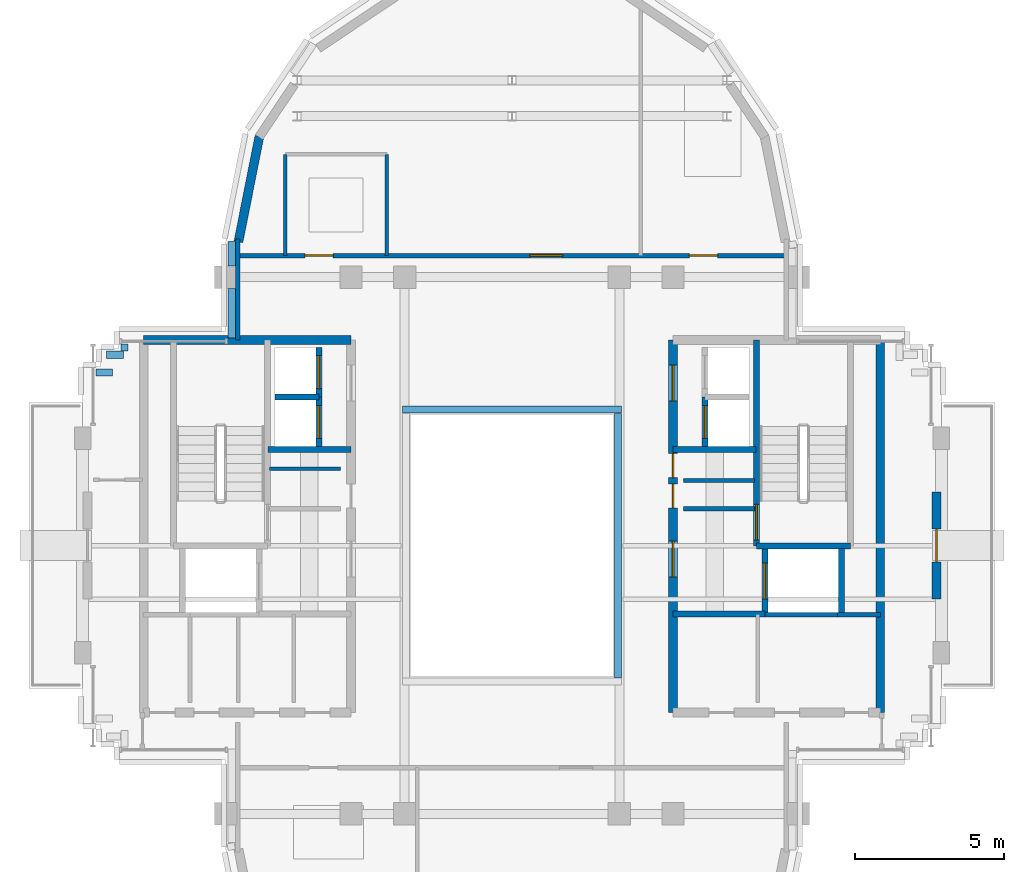
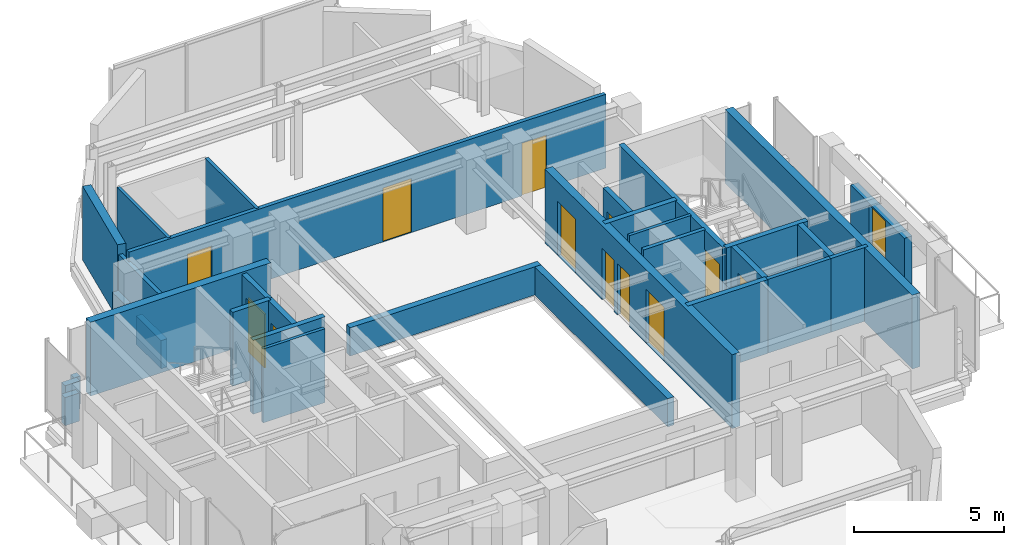
# One storey, part 8 of 12: 32 walls, 13 doors, 13 openings.
"""IFC4 building model written with IfcOpenShell, lengths in metres."""

import ifcopenshell
import ifcopenshell.guid

model = None  # the IFC model being written
_history = None  # IfcOwnerHistory: only IFC2X3 demands one
_inside = {}  # id of a spatial element -> (the spatial element, [elements in it])
_under = {}  # id of a project, library or spatial element -> (it, [spatial elements below it])
_declared = {}  # id of a project -> (the project, [libraries it declares])
_typed = {}  # id of a type object -> (the type object, [elements of that type])
_made_of = {}  # id of a material, layer set ... -> (it, [elements and type objects made of it])


def new_model(schema):
    """Start an empty IFC model of exactly this schema.

    Asked for "IFC4X3", IfcOpenShell would pick the latest addendum, in which some entities
    have other attributes; the version numbers below select the first issue.
    IFC2X3 requires an IfcOwnerHistory on every rooted entity: one is made here for all.
    """
    global model, _history
    if schema == "IFC4X3":
        model = ifcopenshell.file(schema_version=(4, 3, 0, 0))
    else:
        model = ifcopenshell.file(schema=schema)
    _inside.clear()
    _under.clear()
    _declared.clear()
    _typed.clear()
    _made_of.clear()
    _history = None
    if model.schema == "IFC2X3":
        org = make("IfcOrganization", Name="unknown")
        user = make(
            "IfcPersonAndOrganization",
            ThePerson=make("IfcPerson", FamilyName="unknown"),
            TheOrganization=org,
        )
        app = make(
            "IfcApplication",
            ApplicationDeveloper=org,
            Version="unknown",
            ApplicationFullName="unknown",
            ApplicationIdentifier="unknown",
        )
        _history = make(
            "IfcOwnerHistory",
            OwningUser=user,
            OwningApplication=app,
            ChangeAction="ADDED",
            CreationDate=0,
        )
    return model


def make(cls, **values):
    """One entity of the class cls with the attributes given. An attribute that is None is left unset."""
    return model.create_entity(
        cls, **{name: value for name, value in values.items() if value is not None}
    )


def rooted(cls, **values):
    """An entity with a GlobalId (a new one), such as an element, a storey or a relation."""
    return make(cls, GlobalId=ifcopenshell.guid.new(), OwnerHistory=_history, **values)


def si_unit(unit_type, name, prefix=None):
    """IfcSIUnit, for example si_unit("LENGTHUNIT", "METRE", prefix="MILLI")."""
    return make("IfcSIUnit", UnitType=unit_type, Prefix=prefix, Name=name)


def assignment(units):
    """IfcUnitAssignment: the units of a project."""
    return None if units is None else make("IfcUnitAssignment", Units=units)


def point(xyz):
    """IfcCartesianPoint."""
    return None if xyz is None else make("IfcCartesianPoint", Coordinates=xyz)


def direction(xyz):
    """IfcDirection."""
    return None if xyz is None else make("IfcDirection", DirectionRatios=xyz)


def frame(location, z_axis=None, x_axis=None):
    """IfcAxis2Placement3D, a coordinate frame: its origin and axes. An axis left out is left unset."""
    return make(
        "IfcAxis2Placement3D",
        Location=point(location),
        Axis=direction(z_axis),
        RefDirection=direction(x_axis),
    )


def frame_2d(location, x_axis=None):
    """IfcAxis2Placement2D, a coordinate frame in the plane: its origin and x axis."""
    return make(
        "IfcAxis2Placement2D", Location=point(location), RefDirection=direction(x_axis)
    )


def origin():
    """The frame at (0, 0, 0) with its axes left unset."""
    return frame((0.0, 0.0, 0.0))


def place(relative_to, where):
    """IfcLocalPlacement: puts the frame where relative to a parent placement (None: the world)."""
    return make(
        "IfcLocalPlacement", PlacementRelTo=relative_to, RelativePlacement=where
    )


def context(
    kind, dimensions, precision=None, world=None, true_north=None, identifier=None
):
    """IfcGeometricRepresentationContext, for example the 3D "Model" context."""
    return make(
        "IfcGeometricRepresentationContext",
        ContextIdentifier=identifier,
        ContextType=kind,
        CoordinateSpaceDimension=dimensions,
        Precision=precision,
        WorldCoordinateSystem=world,
        TrueNorth=true_north,
    )


def subcontext(parent, identifier, kind, view, scale=None):
    """IfcGeometricRepresentationSubContext, for example "Body" below "Model"."""
    return make(
        "IfcGeometricRepresentationSubContext",
        ContextIdentifier=identifier,
        ContextType=kind,
        ParentContext=parent,
        TargetScale=scale,
        TargetView=view,
    )


def project(units=None, contexts=None):
    """IfcProject with its units and contexts."""
    return rooted(
        "IfcProject",
        Name="project",
        RepresentationContexts=contexts,
        UnitsInContext=assignment(units),
    )


def spatial(cls, under=None, at=None, **own):
    """A site, building, storey or space (cls), placed at a placement, below another one or the project."""
    s = rooted(cls, ObjectPlacement=at, **own)
    if under is not None:
        _under.setdefault(under.id(), (under, []))[1].append(s)
    return s


def profile(cls, at=None, kind="AREA", **sizes):
    """A parametric profile (cls). Its sizes go by their IFC names, for example OverallWidth=200.0."""
    return make(cls, ProfileType=kind, Position=at, **sizes)


def rectangle(**sizes):
    """IfcRectangleProfileDef."""
    return profile("IfcRectangleProfileDef", **sizes)


def extrude(swept, where, along, depth):
    """IfcExtrudedAreaSolid: the profile swept, set in the frame where, extruded along a direction by depth."""
    return make(
        "IfcExtrudedAreaSolid",
        SweptArea=swept,
        Position=where,
        ExtrudedDirection=direction(along),
        Depth=depth,
    )


def shape(context_of_items, identifier, shape_type, items):
    """IfcShapeRepresentation: the items that make up one representation, for example the "Body"."""
    return make(
        "IfcShapeRepresentation",
        ContextOfItems=context_of_items,
        RepresentationIdentifier=identifier,
        RepresentationType=shape_type,
        Items=items,
    )


def source(mapping_origin, context_of_items, identifier, shape_type, items):
    """IfcRepresentationMap: a shape defined once, which mapped items show again and again."""
    return make(
        "IfcRepresentationMap",
        MappingOrigin=mapping_origin,
        MappedRepresentation=shape(context_of_items, identifier, shape_type, items),
    )


def transform(
    local_origin,
    x_axis=None,
    y_axis=None,
    z_axis=None,
    scale=None,
    scale2=None,
    scale3=None,
    uniform=True,
):
    """IfcCartesianTransformationOperator3D, or its non-uniform kind. x_axis, y_axis, z_axis: its Axis1, 2, 3."""
    if uniform:
        return make(
            "IfcCartesianTransformationOperator3D",
            Axis1=direction(x_axis),
            Axis2=direction(y_axis),
            LocalOrigin=point(local_origin),
            Scale=scale,
            Axis3=direction(z_axis),
        )
    return make(
        "IfcCartesianTransformationOperator3DnonUniform",
        Axis1=direction(x_axis),
        Axis2=direction(y_axis),
        LocalOrigin=point(local_origin),
        Scale=scale,
        Axis3=direction(z_axis),
        Scale2=scale2,
        Scale3=scale3,
    )


def mapped(mapping_source, mapping_target):
    """IfcMappedItem: shows the shape of a source again, moved by a transform."""
    return make(
        "IfcMappedItem", MappingSource=mapping_source, MappingTarget=mapping_target
    )


def material(Name=None, Category=None):
    """IfcMaterial."""
    return make("IfcMaterial", Name=Name, Category=Category)


def layer(
    of_material, thickness, ventilated=None, Name=None, Category=None, Priority=None
):
    """IfcMaterialLayer: one layer of a wall or slab, of a material (None: an air gap)."""
    return make(
        "IfcMaterialLayer",
        Material=of_material,
        LayerThickness=thickness,
        IsVentilated=ventilated,
        Name=Name,
        Category=Category,
        Priority=Priority,
    )


def layer_set(layers, Name=None):
    """IfcMaterialLayerSet."""
    return make("IfcMaterialLayerSet", MaterialLayers=layers, LayerSetName=Name)


def made_of(thing, what):
    """Note that an element or type object is made of a material, layer set ...; save() writes the relation."""
    if what is not None:
        _made_of.setdefault(what.id(), (what, []))[1].append(thing)
    return thing


def type_object(cls, material=None, **own):
    """A type object (cls), such as IfcWallType, which elements share."""
    return made_of(rooted(cls, **own), material)


def element(
    cls,
    number,
    at=None,
    inside=None,
    cuts=None,
    type_object=None,
    material=None,
    context=None,
    identifier="Body",
    shape_type=None,
    held_by="IfcProductDefinitionShape",
    body=None,
    shapes=None,
    **own,
):
    """One element of the class cls, such as IfcWall. Its Tag is "e" and its number.

    at: its placement. inside: the storey or other place that contains it. cuts: it is an
    opening in that element (IfcRelVoidsElement). A single representation is given by context,
    identifier, shape_type and body (its items); several are given by shapes. held_by: the class
    of the entity that holds the representations. save() writes the other relations.
    """
    e = rooted(cls, Tag="e%d" % number, ObjectPlacement=at, **own)
    if body is not None:
        shapes = [shape(context, identifier, shape_type, body)]
    if shapes is not None:
        e.Representation = make(held_by, Representations=shapes)
    if inside is not None:
        _inside.setdefault(inside.id(), (inside, []))[1].append(e)
    if cuts is not None:
        rooted(
            "IfcRelVoidsElement", RelatingBuildingElement=cuts, RelatedOpeningElement=e
        )
    if type_object is not None:
        _typed.setdefault(type_object.id(), (type_object, []))[1].append(e)
    return made_of(e, material)


def fill(opening, filler):
    """IfcRelFillsElement: the door or window that sits in an opening."""
    return rooted(
        "IfcRelFillsElement",
        RelatingOpeningElement=opening,
        RelatedBuildingElement=filler,
    )


def aggregate(whole, parts):
    """IfcRelAggregates: a whole, such as a stair, and the parts it consists of."""
    return rooted("IfcRelAggregates", RelatingObject=whole, RelatedObjects=parts)


def save(model, path):
    """Write the relations noted so far, then the file.

    IfcRelAggregates (storeys below a building ...), IfcRelContainedInSpatialStructure (elements
    in a storey), IfcRelDefinesByType, IfcRelAssociatesMaterial and IfcRelDeclares: one each for
    every whole, place, type object, material and project.
    """
    for whole, parts in _under.values():
        aggregate(whole, parts)
    for where, things in _inside.values():
        rooted(
            "IfcRelContainedInSpatialStructure",
            RelatedElements=things,
            RelatingStructure=where,
        )
    for kind, things in _typed.values():
        rooted("IfcRelDefinesByType", RelatedObjects=things, RelatingType=kind)
    for what, things in _made_of.values():
        rooted("IfcRelAssociatesMaterial", RelatedObjects=things, RelatingMaterial=what)
    for by, libraries in _declared.values():
        rooted("IfcRelDeclares", RelatingContext=by, RelatedDefinitions=libraries)
    model.write(path)


model = new_model("IFC4")

# Units and contexts
model_context = context("Model", 3, precision=1e-05, world=origin(), true_north=direction((0.0, 1.0)))
body_context = subcontext(model_context, "Body", "Model", "MODEL_VIEW")
ifc_project = project(units=[si_unit("LENGTHUNIT", "METRE"), si_unit("AREAUNIT", "SQUARE_METRE"), si_unit("VOLUMEUNIT", "CUBIC_METRE"), si_unit("PLANEANGLEUNIT", "RADIAN"), si_unit("MASSUNIT", "GRAM", prefix="KILO")], contexts=[model_context])

# Site, building, storey
site_placement = place(None, origin())
site = spatial("IfcSite", under=ifc_project, at=site_placement, CompositionType="ELEMENT")
building_placement = place(site_placement, origin())
building = spatial("IfcBuilding", under=site, at=building_placement, Name="Keilestroom Media Tower", CompositionType="ELEMENT")
storey_placement = place(building_placement, frame((0.0, 0.0, 258.800048828125)))
storey = spatial("IfcBuildingStorey", under=building, at=storey_placement, Name="L72", CompositionType="ELEMENT", Elevation=258.800048828125)

# Wall
ifc_material_1 = material(Name="Precast concrete C40/50", Category="concrete")
ifc_layer_1 = layer(ifc_material_1, 0.300048828125)
ifc_layer_set_1 = layer_set([ifc_layer_1], Name="Precast concrete C40/50")
wall_type_1 = type_object("IfcWallType", Name="Exterior-Masonry-Spandrel-Wall-300", PredefinedType="SOLIDWALL", material=ifc_layer_set_1)
wall_1_placement = place(storey_placement, frame((-8.470703125, 13.724609375, 0.0), z_axis=(0.0, 0.0, 1.0), x_axis=(-0.195114232679, -0.980780523974, 0.0)))
element("IfcWall", 1, at=wall_1_placement, inside=storey, type_object=wall_type_1, Name="L72 Lobe Facet Precast Frame Wall 06", PredefinedType="SOLIDWALL", context=body_context, shape_type="SweptSolid", body=[
    extrude(rectangle(XDim=3.608642578125, YDim=0.300048828125, at=frame_2d((1.80419921875, 0.0))), origin(), (0.0, 0.0, 1.0), 3.010009765625),
])

# Wall, opening, door
wall_2_placement = place(storey_placement, frame((14.239990234375, -1.800048828125, 0.0), z_axis=(0.0, 0.0, 1.0), x_axis=(0.0, 1.0, 0.0)))
wall_2 = element("IfcWall", 2, at=wall_2_placement, inside=storey, type_object=wall_type_1, Name="L72 Terrace Threshold Wall CUP72-E", PredefinedType="SOLIDWALL", context=body_context, shape_type="SweptSolid", body=[
    extrude(rectangle(XDim=3.60009765625, YDim=0.300048828125, at=frame_2d((1.800048828125, 0.0))), origin(), (0.0, 0.0, 1.0), 2.35986328125),
])
opening_1_placement = place(wall_2_placement, frame((1.25, 0.0, 0.0)))
opening_1 = element("IfcOpeningElement", 3, at=opening_1_placement, cuts=wall_2, Name="Opening DE-02", PredefinedType="OPENING", context=body_context, shape_type="SweptSolid", body=[
    extrude(rectangle(XDim=1.10009765625, YDim=2.300048828125, at=frame_2d((0.550048828125, 1.14990234375))), frame((0.0, 0.16015625, 0.0), z_axis=(0.0, -1.0, 0.0), x_axis=(1.0, 0.0, 0.0)), (0.0, 0.0, 1.0), 0.320068359375),
])
ifc_material_2 = material(Name="Thermally Broken Aluminium & Laminated Glass", Category="aluminium")
door_type_1 = type_object("IfcDoorType", Name="Exterior-Entrance-And-Terrace-Door-DE-02", OperationType="NOTDEFINED", PredefinedType="DOOR", material=ifc_material_2)
shared_shape_1 = source(origin(), body_context, "Body", "SweptSolid", [
    extrude(rectangle(XDim=1.10009765625, YDim=2.300048828125, at=frame_2d((0.550048828125, 1.14990234375))), frame((0.0, 0.02490234375, 0.0), z_axis=(0.0, -1.0, 0.0), x_axis=(1.0, 0.0, 0.0)), (0.0, 0.0, 1.0), 0.050048828125),
])
door_1_placement = place(opening_1_placement, frame((1.10009765625, 0.0, 0.0), z_axis=(0.0, 0.0, 1.0), x_axis=(-1.0, 0.0, 0.0)))
door_1 = element("IfcDoor", 4, at=door_1_placement, inside=storey, type_object=door_type_1, Name="L72 Terrace Access Door DE-02 CUP72-E", OperationType="SINGLE_SWING_RIGHT", OverallHeight=2.300048828125, OverallWidth=1.10009765625, PredefinedType="DOOR", context=body_context, shape_type="MappedRepresentation", body=[
    mapped(shared_shape_1, transform((0.0, 0.0, 0.0), x_axis=(1.0, 0.0, 0.0), y_axis=(0.0, 1.0, 0.0), z_axis=(0.0, 0.0, 1.0), scale=1.0)),
])
fill(opening_1, door_1)

# Walls
ifc_material_3 = material(Name="Gypsum Plasterboard & Steel Stud", Category="steel")
ifc_layer_2 = layer(ifc_material_3, 0.1201171875)
ifc_layer_set_2 = layer_set([ifc_layer_2], Name="Gypsum Plasterboard & Steel Stud")
wall_type_2 = type_object("IfcWallType", Name="Interior-Partition-Wall-120", PredefinedType="PARTITIONING", material=ifc_layer_set_2)
for number, where, z_axis, x_axis, name in (
    (5, (-8.139892578125, 2.580078125, 0.0), (0.0, 0.0, 1.0), (1.0, 0.0, 0.0), "L72 Interior Wall WP-L72-CNW-N"),
    (6, (5.75, 2.179931640625, 0.0), (0.0, 0.0, 1.0), (1.0, 0.0, 0.0), "L72 Interior Wall WP-L72-CNE-N"),
):
    element("IfcWall", number, at=place(storey_placement, frame(where, z_axis=z_axis, x_axis=x_axis)), inside=storey, type_object=wall_type_2, Name=name, PredefinedType="PARTITIONING", context=body_context, shape_type="SweptSolid", body=[
        extrude(rectangle(XDim=2.389892578125, YDim=0.1201171875, at=frame_2d((1.19482421875, 0.0))), origin(), (0.0, 0.0, 1.0), 3.010009765625),
    ])
for number, where, z_axis, x_axis, name in (
    (7, (-7.60009765625, 9.719970703125, 0.0), (0.0, 0.0, 1.0), (0.0, 1.0, 0.0), "L72 Interior Wall WP-L72-NL-WC-W"),
    (8, (-4.199951171875, 9.719970703125, 0.0), (0.0, 0.0, 1.0), (0.0, 1.0, 0.0), "L72 Interior Wall WP-L72-NL-WC-E"),
):
    element("IfcWall", number, at=place(storey_placement, frame(where, z_axis=z_axis, x_axis=x_axis)), inside=storey, type_object=wall_type_2, Name=name, PredefinedType="PARTITIONING", context=body_context, shape_type="SweptSolid", body=[
        extrude(rectangle(XDim=3.400146484375, YDim=0.1201171875, at=frame_2d((1.7001953125, 0.0))), origin(), (0.0, 0.0, 1.0), 3.010009765625),
    ])
ifc_layer_3 = layer(ifc_material_3, 0.14990234375)
ifc_layer_set_3 = layer_set([ifc_layer_3], Name="Gypsum Plasterboard & Steel Stud")
wall_type_3 = type_object("IfcWallType", Name="Interior-Partition-Wall-150", PredefinedType="PARTITIONING", material=ifc_layer_set_3)
wall_3_placement = place(storey_placement, frame((5.75, 1.239990234375, 0.0), z_axis=(0.0, 0.0, 1.0), x_axis=(1.0, 0.0, 0.0)))
element("IfcWall", 9, at=wall_3_placement, inside=storey, type_object=wall_type_3, Name="L72 Interior Wall WP-L72-FFE-TOP", PredefinedType="PARTITIONING", context=body_context, shape_type="SweptSolid", body=[
    extrude(rectangle(XDim=2.389892578125, YDim=0.14990234375, at=frame_2d((1.19482421875, 0.0))), origin(), (0.0, 0.0, 1.0), 3.010009765625),
])
wall_4_placement = place(storey_placement, frame((10.919921875, -2.320068359375, 0.0), z_axis=(0.0, 0.0, 1.0), x_axis=(1.0, 0.0, 0.0)))
element("IfcWall", 10, at=wall_4_placement, inside=storey, type_object=wall_type_3, Name="L72 Interior Wall WP-L72-RECLE-N", PredefinedType="PARTITIONING", context=body_context, shape_type="SweptSolid", body=[
    extrude(rectangle(XDim=1.43017578125, YDim=0.14990234375, at=frame_2d((0.715087890625, 0.0))), origin(), (0.0, 0.0, 1.0), 3.010009765625),
])
wall_5_placement = place(storey_placement, frame((8.47998046875, -2.320068359375, 0.0), z_axis=(0.0, 0.0, 1.0), x_axis=(1.0, 0.0, 0.0)))
element("IfcWall", 11, at=wall_5_placement, inside=storey, type_object=wall_type_3, Name="L72 Interior Wall WP-L72-RECME-N", PredefinedType="PARTITIONING", context=body_context, shape_type="SweptSolid", body=[
    extrude(rectangle(XDim=2.43994140625, YDim=0.14990234375, at=frame_2d((1.219970703125, 0.0))), origin(), (0.0, 0.0, 1.0), 3.010009765625),
])

# Wall, openings, doors
wall_6_placement = place(storey_placement, frame((-9.199951171875, 9.719970703125, 0.0), z_axis=(0.0, 0.0, 1.0), x_axis=(1.0, 0.0, 0.0)))
wall_6 = element("IfcWall", 12, at=wall_6_placement, inside=storey, type_object=wall_type_3, Name="L72 Interior Wall WP-L72-NL-BASE", PredefinedType="PARTITIONING", context=body_context, shape_type="SweptSolid", body=[
    extrude(rectangle(XDim=18.39990234375, YDim=0.14990234375, at=frame_2d((9.199951171875, 0.0))), origin(), (0.0, 0.0, 1.0), 3.010009765625),
])
opening_2_placement = place(wall_6_placement, frame((2.25, 0.0, 0.0)))
opening_2 = element("IfcOpeningElement", 13, at=opening_2_placement, cuts=wall_6, Name="Opening DI-03", PredefinedType="OPENING", context=body_context, shape_type="SweptSolid", body=[
    extrude(rectangle(XDim=0.949951171875, YDim=2.14990234375, at=frame_2d((0.47509765625, 1.074951171875))), frame((0.0, 0.0849609375, 0.0), z_axis=(0.0, -1.0, 0.0), x_axis=(1.0, 0.0, 0.0)), (0.0, 0.0, 1.0), 0.169921875),
])
opening_3_placement = place(wall_6_placement, frame((9.800048828125, 0.0, 0.0)))
opening_3 = element("IfcOpeningElement", 14, at=opening_3_placement, cuts=wall_6, Name="Opening DI-04", PredefinedType="OPENING", context=body_context, shape_type="SweptSolid", body=[
    extrude(rectangle(XDim=1.10009765625, YDim=2.199951171875, at=frame_2d((0.550048828125, 1.10009765625))), frame((0.0, 0.0849609375, 0.0), z_axis=(0.0, -1.0, 0.0), x_axis=(1.0, 0.0, 0.0)), (0.0, 0.0, 1.0), 0.169921875),
])
opening_4_placement = place(wall_6_placement, frame((15.14990234375, 0.0, 0.0)))
opening_4 = element("IfcOpeningElement", 15, at=opening_4_placement, cuts=wall_6, Name="Opening DI-03", PredefinedType="OPENING", context=body_context, shape_type="SweptSolid", body=[
    extrude(rectangle(XDim=0.949951171875, YDim=2.14990234375, at=frame_2d((0.47509765625, 1.074951171875))), frame((0.0, 0.0849609375, 0.0), z_axis=(0.0, -1.0, 0.0), x_axis=(1.0, 0.0, 0.0)), (0.0, 0.0, 1.0), 0.169921875),
])
ifc_material_4 = material(Name="Lacquered European Oak Leaf", Category="wood")
door_type_2 = type_object("IfcDoorType", Name="Interior-Room-And-Suite-Door-DI-03", OperationType="NOTDEFINED", PredefinedType="DOOR", material=ifc_material_4)
shared_shape_2 = source(origin(), body_context, "Body", "SweptSolid", [
    extrude(rectangle(XDim=0.949951171875, YDim=2.14990234375, at=frame_2d((0.47509765625, 1.074951171875))), frame((0.0, 0.02490234375, 0.0), z_axis=(0.0, -1.0, 0.0), x_axis=(1.0, 0.0, 0.0)), (0.0, 0.0, 1.0), 0.050048828125),
])
door_2_placement = place(opening_2_placement, origin())
door_2 = element("IfcDoor", 16, at=door_2_placement, inside=storey, type_object=door_type_2, Name="L72 Interior Door DI-L72-DNL-WC", OperationType="SINGLE_SWING_LEFT", OverallHeight=2.14990234375, OverallWidth=0.949951171875, PredefinedType="DOOR", context=body_context, shape_type="MappedRepresentation", body=[
    mapped(shared_shape_2, transform((0.0, 0.0, 0.0), x_axis=(1.0, 0.0, 0.0), y_axis=(0.0, 1.0, 0.0), z_axis=(0.0, 0.0, 1.0), scale=1.0)),
])
fill(opening_2, door_2)
door_3_placement = place(opening_4_placement, origin())
door_3 = element("IfcDoor", 17, at=door_3_placement, inside=storey, type_object=door_type_2, Name="L72 Interior Door DI-L72-DNL-B", OperationType="SINGLE_SWING_LEFT", OverallHeight=2.14990234375, OverallWidth=0.949951171875, PredefinedType="DOOR", context=body_context, shape_type="MappedRepresentation", body=[
    mapped(shared_shape_2, transform((0.0, 0.0, 0.0), x_axis=(1.0, 0.0, 0.0), y_axis=(0.0, 1.0, 0.0), z_axis=(0.0, 0.0, 1.0), scale=1.0)),
])
fill(opening_4, door_3)
ifc_material_5 = material(Name="Acoustic Glazed Aluminium Leaf", Category="aluminium")
door_type_3 = type_object("IfcDoorType", Name="Interior-Room-And-Suite-Door-DI-04", OperationType="NOTDEFINED", PredefinedType="DOOR", material=ifc_material_5)
shared_shape_3 = source(origin(), body_context, "Body", "SweptSolid", [
    extrude(rectangle(XDim=1.10009765625, YDim=2.199951171875, at=frame_2d((0.550048828125, 1.10009765625))), frame((0.0, 0.02490234375, 0.0), z_axis=(0.0, -1.0, 0.0), x_axis=(1.0, 0.0, 0.0)), (0.0, 0.0, 1.0), 0.050048828125),
])
door_4_placement = place(opening_3_placement, origin())
door_4 = element("IfcDoor", 18, at=door_4_placement, inside=storey, type_object=door_type_3, Name="L72 Interior Door DI-L72-DNL-A", OperationType="SINGLE_SWING_RIGHT", OverallHeight=2.199951171875, OverallWidth=1.10009765625, PredefinedType="DOOR", context=body_context, shape_type="MappedRepresentation", body=[
    mapped(shared_shape_3, transform((0.0, 0.0, 0.0), x_axis=(1.0, 0.0, 0.0), y_axis=(0.0, 1.0, 0.0), z_axis=(0.0, 0.0, 1.0), scale=1.0)),
])
fill(opening_3, door_4)

# Walls
wall_7_placement = place(storey_placement, frame((-9.199951171875, 6.89990234375, 0.0), z_axis=(0.0, 0.0, 1.0), x_axis=(0.0, 1.0, 0.0)))
element("IfcWall", 19, at=wall_7_placement, inside=storey, type_object=wall_type_3, Name="L72 Interior Wall WP-L72-NL-CHKW", PredefinedType="PARTITIONING", context=body_context, shape_type="SweptSolid", body=[
    extrude(rectangle(XDim=3.380126953125, YDim=0.14990234375, at=frame_2d((1.68994140625, 0.0))), origin(), (0.0, 0.0, 1.0), 2.60986328125),
])
ifc_material_6 = material(Name="Concrete C50/60", Category="concrete")
ifc_layer_4 = layer(ifc_material_6, 0.300048828125)
ifc_layer_set_4 = layer_set([ifc_layer_4], Name="Concrete C50/60")
wall_type_4 = type_object("IfcWallType", Name="Reinforced-Concrete-Core-Shear-Wall-300", PredefinedType="SHEAR", material=ifc_layer_set_4)
wall_8_placement = place(storey_placement, frame((-12.35009765625, 6.89990234375, 0.0), z_axis=(0.0, 0.0, 1.0), x_axis=(1.0, 0.0, 0.0)))
element("IfcWall", 20, at=wall_8_placement, inside=storey, type_object=wall_type_4, Name="L72 Core Shear Wall WL-L72-CORE-W-N", PredefinedType="SHEAR", context=body_context, shape_type="SweptSolid", body=[
    extrude(rectangle(XDim=6.9501953125, YDim=0.300048828125, at=frame_2d((3.47509765625, 0.0))), origin(), (0.0, 0.0, 1.0), 3.010009765625),
])
wall_9_placement = place(storey_placement, frame((12.35009765625, -5.60009765625, 0.0), z_axis=(0.0, 0.0, 1.0), x_axis=(0.0, 1.0, 0.0)))
element("IfcWall", 21, at=wall_9_placement, inside=storey, type_object=wall_type_4, Name="L72 Core Shear Wall WL-L72-CORE-E-OUT", PredefinedType="SHEAR", context=body_context, shape_type="SweptSolid", body=[
    extrude(rectangle(XDim=12.5, YDim=0.300048828125, at=frame_2d((6.25, 0.0))), origin(), (0.0, 0.0, 1.0), 3.010009765625),
])

# Wall, openings, doors
wall_10_placement = place(storey_placement, frame((5.39990234375, -5.60009765625, 0.0), z_axis=(0.0, 0.0, 1.0), x_axis=(0.0, 1.0, 0.0)))
wall_10 = element("IfcWall", 22, at=wall_10_placement, inside=storey, type_object=wall_type_4, Name="L72 Core Shear Wall WL-L72-CORE-E-IN", PredefinedType="SHEAR", context=body_context, shape_type="SweptSolid", body=[
    extrude(rectangle(XDim=12.5, YDim=0.300048828125, at=frame_2d((6.25, 0.0))), origin(), (0.0, 0.0, 1.0), 3.010009765625),
])
opening_5_placement = place(wall_10_placement, frame((4.550048828125, 0.0, 0.0)))
opening_5 = element("IfcOpeningElement", 23, at=opening_5_placement, cuts=wall_10, Name="Opening DI-02", PredefinedType="OPENING", context=body_context, shape_type="SweptSolid", body=[
    extrude(rectangle(XDim=1.199951171875, YDim=2.199951171875, at=frame_2d((0.60009765625, 1.10009765625))), frame((0.0, 0.16015625, 0.0), z_axis=(0.0, -1.0, 0.0), x_axis=(1.0, 0.0, 0.0)), (0.0, 0.0, 1.0), 0.320068359375),
])
opening_6_placement = place(wall_10_placement, frame((10.449951171875, 0.0, 0.0)))
opening_6 = element("IfcOpeningElement", 24, at=opening_6_placement, cuts=wall_10, Name="Opening DI-02", PredefinedType="OPENING", context=body_context, shape_type="SweptSolid", body=[
    extrude(rectangle(XDim=1.199951171875, YDim=2.199951171875, at=frame_2d((0.60009765625, 1.10009765625))), frame((0.0, 0.16015625, 0.0), z_axis=(0.0, -1.0, 0.0), x_axis=(1.0, 0.0, 0.0)), (0.0, 0.0, 1.0), 0.320068359375),
])
opening_7_placement = place(wall_10_placement, frame((6.860107421875, 0.0, 0.0)))
opening_7 = element("IfcOpeningElement", 25, at=opening_7_placement, cuts=wall_10, Name="Opening DI-06", PredefinedType="OPENING", context=body_context, shape_type="SweptSolid", body=[
    extrude(rectangle(XDim=0.800048828125, YDim=2.10009765625, at=frame_2d((0.39990234375, 1.050048828125))), frame((0.0, 0.16015625, 0.0), z_axis=(0.0, -1.0, 0.0), x_axis=(1.0, 0.0, 0.0)), (0.0, 0.0, 1.0), 0.320068359375),
])
opening_8_placement = place(wall_10_placement, frame((7.8798828125, 0.0, 0.0)))
opening_8 = element("IfcOpeningElement", 26, at=opening_8_placement, cuts=wall_10, Name="Opening DI-06", PredefinedType="OPENING", context=body_context, shape_type="SweptSolid", body=[
    extrude(rectangle(XDim=0.800048828125, YDim=2.10009765625, at=frame_2d((0.39990234375, 1.050048828125))), frame((0.0, 0.16015625, 0.0), z_axis=(0.0, -1.0, 0.0), x_axis=(1.0, 0.0, 0.0)), (0.0, 0.0, 1.0), 0.320068359375),
])
ifc_material_7 = material(Name="Powder-Coated Steel Fire Leaf", Category="steel")
door_type_4 = type_object("IfcDoorType", Name="Interior-Compartment-Fire-Door-DI-02", OperationType="NOTDEFINED", PredefinedType="DOOR", material=ifc_material_7)
shared_shape_4 = source(origin(), body_context, "Body", "SweptSolid", [
    extrude(rectangle(XDim=1.199951171875, YDim=2.199951171875, at=frame_2d((0.60009765625, 1.10009765625))), frame((0.0, 0.02490234375, 0.0), z_axis=(0.0, -1.0, 0.0), x_axis=(1.0, 0.0, 0.0)), (0.0, 0.0, 1.0), 0.050048828125),
])
door_5_placement = place(opening_5_placement, origin())
door_5 = element("IfcDoor", 27, at=door_5_placement, inside=storey, type_object=door_type_4, Name="L72 E Firefighting Lobby Door", OperationType="SINGLE_SWING_LEFT", OverallHeight=2.199951171875, OverallWidth=1.199951171875, PredefinedType="DOOR", context=body_context, shape_type="MappedRepresentation", body=[
    mapped(shared_shape_4, transform((0.0, 0.0, 0.0), x_axis=(1.0, 0.0, 0.0), y_axis=(0.0, 1.0, 0.0), z_axis=(0.0, 0.0, 1.0), scale=1.0)),
])
fill(opening_5, door_5)
door_6_placement = place(opening_6_placement, origin())
door_6 = element("IfcDoor", 28, at=door_6_placement, inside=storey, type_object=door_type_4, Name="L72 E High-Rise Lift Lobby Door", OperationType="SINGLE_SWING_RIGHT", OverallHeight=2.199951171875, OverallWidth=1.199951171875, PredefinedType="DOOR", context=body_context, shape_type="MappedRepresentation", body=[
    mapped(shared_shape_4, transform((0.0, 0.0, 0.0), x_axis=(1.0, 0.0, 0.0), y_axis=(0.0, 1.0, 0.0), z_axis=(0.0, 0.0, 1.0), scale=1.0)),
])
fill(opening_6, door_6)
ifc_material_8 = material(Name="Powder-Coated Steel Service Leaf", Category="steel")
door_type_5 = type_object("IfcDoorType", Name="Interior-Riser-Access-Door-DI-06", OperationType="NOTDEFINED", PredefinedType="DOOR", material=ifc_material_8)
shared_shape_5 = source(origin(), body_context, "Body", "SweptSolid", [
    extrude(rectangle(XDim=0.800048828125, YDim=2.10009765625, at=frame_2d((0.39990234375, 1.050048828125))), frame((0.0, 0.02490234375, 0.0), z_axis=(0.0, -1.0, 0.0), x_axis=(1.0, 0.0, 0.0)), (0.0, 0.0, 1.0), 0.050048828125),
])
door_7_placement = place(opening_7_placement, origin())
door_7 = element("IfcDoor", 29, at=door_7_placement, inside=storey, type_object=door_type_5, Name="L72 East Core Telecom Door", OperationType="SINGLE_SWING_RIGHT", OverallHeight=2.10009765625, OverallWidth=0.800048828125, PredefinedType="DOOR", context=body_context, shape_type="MappedRepresentation", body=[
    mapped(shared_shape_5, transform((0.0, 0.0, 0.0), x_axis=(1.0, 0.0, 0.0), y_axis=(0.0, 1.0, 0.0), z_axis=(0.0, 0.0, 1.0), scale=1.0)),
])
fill(opening_7, door_7)
door_8_placement = place(opening_8_placement, origin())
door_8 = element("IfcDoor", 30, at=door_8_placement, inside=storey, type_object=door_type_5, Name="L72 East Core Closet Door", OperationType="SINGLE_SWING_RIGHT", OverallHeight=2.10009765625, OverallWidth=0.800048828125, PredefinedType="DOOR", context=body_context, shape_type="MappedRepresentation", body=[
    mapped(shared_shape_5, transform((0.0, 0.0, 0.0), x_axis=(1.0, 0.0, 0.0), y_axis=(0.0, 1.0, 0.0), z_axis=(0.0, 0.0, 1.0), scale=1.0)),
])
fill(opening_8, door_8)

# Walls
ifc_layer_5 = layer(ifc_material_6, 0.199951171875)
ifc_layer_set_5 = layer_set([ifc_layer_5], Name="Concrete C50/60")
wall_type_5 = type_object("IfcWallType", Name="Reinforced-Concrete-Shaft-Wall-200", PredefinedType="SOLIDWALL", material=ifc_layer_set_5)
for number, where, z_axis, x_axis, name in (
    (31, (-8.179931640625, 3.219970703125, 0.0), (0.0, 0.0, 1.0), (1.0, 0.0, 0.0), "L72 Core Shear Wall WL-L72-CORE-W-FFN"),
    (32, (5.39990234375, 3.219970703125, 0.0), (0.0, 0.0, 1.0), (1.0, 0.0, 0.0), "L72 Core Shear Wall WL-L72-CORE-E-FFN"),
):
    element("IfcWall", number, at=place(storey_placement, frame(where, z_axis=z_axis, x_axis=x_axis)), inside=storey, type_object=wall_type_5, Name=name, PredefinedType="SOLIDWALL", context=body_context, shape_type="SweptSolid", body=[
        extrude(rectangle(XDim=2.780029296875, YDim=0.199951171875, at=frame_2d((1.39013671875, 0.0))), origin(), (0.0, 0.0, 1.0), 3.010009765625),
    ])
wall_11_placement = place(storey_placement, frame((5.39990234375, -2.300048828125, 0.0), z_axis=(0.0, 0.0, 1.0), x_axis=(1.0, 0.0, 0.0)))
element("IfcWall", 33, at=wall_11_placement, inside=storey, type_object=wall_type_5, Name="L72 Core Shear Wall WL-L72-CORE-E-FFS", PredefinedType="SOLIDWALL", context=body_context, shape_type="SweptSolid", body=[
    extrude(rectangle(XDim=3.080078125, YDim=0.199951171875, at=frame_2d((1.5400390625, 0.0))), origin(), (0.0, 0.0, 1.0), 3.010009765625),
])

# Wall, opening, door
wall_12_placement = place(storey_placement, frame((8.2041015625, -0.01611328125, 0.0), z_axis=(0.0, 0.0, 1.0), x_axis=(0.0, 1.0, 0.0)))
wall_12 = element("IfcWall", 34, at=wall_12_placement, inside=storey, type_object=wall_type_5, Name="L72 Core Shear Wall WL-L72-STW-E-NEAR", PredefinedType="SOLIDWALL", context=body_context, shape_type="SweptSolid", body=[
    extrude(rectangle(XDim=6.916015625, YDim=0.199951171875, at=frame_2d((3.4580078125, 0.0))), origin(), (0.0, 0.0, 1.0), 3.010009765625),
])
opening_9_placement = place(wall_12_placement, frame((0.199951171875, 0.0, 0.0)))
opening_9 = element("IfcOpeningElement", 35, at=opening_9_placement, cuts=wall_12, Name="Opening DI-01S", PredefinedType="OPENING", context=body_context, shape_type="SweptSolid", body=[
    extrude(rectangle(XDim=1.199951171875, YDim=2.199951171875, at=frame_2d((0.60009765625, 1.10009765625))), frame((0.0, 0.10986328125, 0.0), z_axis=(0.0, -1.0, 0.0), x_axis=(1.0, 0.0, 0.0)), (0.0, 0.0, 1.0), 0.219970703125),
])
door_type_6 = type_object("IfcDoorType", Name="Interior-Stair-And-Core-Fire-Door-DI-01", OperationType="NOTDEFINED", PredefinedType="DOOR", material=ifc_material_7)
door_9_placement = place(opening_9_placement, origin())
door_9 = element("IfcDoor", 36, at=door_9_placement, inside=storey, type_object=door_type_6, Name="L72 Escape Stair ST-2 Fire Door", OperationType="SINGLE_SWING_RIGHT", OverallHeight=2.199951171875, OverallWidth=1.199951171875, PredefinedType="DOOR", context=body_context, shape_type="MappedRepresentation", body=[
    mapped(shared_shape_4, transform((0.0, 0.0, 0.0), x_axis=(1.0, 0.0, 0.0), y_axis=(0.0, 1.0, 0.0), z_axis=(0.0, 0.0, 1.0), scale=1.0)),
])
fill(opening_9, door_9)

# Wall
wall_13_placement = place(storey_placement, frame((8.2041015625, -0.01611328125, 0.0), z_axis=(0.0, 0.0, 1.0), x_axis=(1.0, 0.0, 0.0)))
element("IfcWall", 37, at=wall_13_placement, inside=storey, type_object=wall_type_5, Name="L72 Core Shear Wall WL-L72-STW-E-S", PredefinedType="SOLIDWALL", context=body_context, shape_type="SweptSolid", body=[
    extrude(rectangle(XDim=3.15185546875, YDim=0.199951171875, at=frame_2d((1.575927734375, 0.0))), origin(), (0.0, 0.0, 1.0), 3.010009765625),
])

# Wall, opening, door
wall_14_placement = place(storey_placement, frame((8.47998046875, -2.280029296875, 0.0), z_axis=(0.0, 0.0, 1.0), x_axis=(0.0, 1.0, 0.0)))
wall_14 = element("IfcWall", 38, at=wall_14_placement, inside=storey, type_object=wall_type_5, Name="L72 Core Shear Wall WL-L72-LSH-FFL-2-W", PredefinedType="SOLIDWALL", context=body_context, shape_type="SweptSolid", body=[
    extrude(rectangle(XDim=2.179931640625, YDim=0.199951171875, at=frame_2d((1.08984375, 0.0))), origin(), (0.0, 0.0, 1.0), 3.010009765625),
])
opening_10_placement = place(wall_14_placement, frame((0.489990234375, 0.0, 0.0)))
opening_10 = element("IfcOpeningElement", 39, at=opening_10_placement, cuts=wall_14, Name="Opening LD-02", PredefinedType="OPENING", context=body_context, shape_type="SweptSolid", body=[
    extrude(rectangle(XDim=1.199951171875, YDim=2.199951171875, at=frame_2d((0.60009765625, 1.10009765625))), frame((0.0, 0.10986328125, 0.0), z_axis=(0.0, -1.0, 0.0), x_axis=(1.0, 0.0, 0.0)), (0.0, 0.0, 1.0), 0.219970703125),
])
ifc_material_9 = material(Name="Brushed Stainless Steel Sliding Leaf", Category="steel")
door_type_7 = type_object("IfcDoorType", Name="Lift-Landing-Sliding-Door-LD-02", OperationType="SLIDING_TO_RIGHT", PredefinedType="DOOR", material=ifc_material_9)
door_10_placement = place(opening_10_placement, origin())
door_10 = element("IfcDoor", 40, at=door_10_placement, inside=storey, type_object=door_type_7, Name="L72 Lift FFL-2 Landing Sliding Door", OperationType="SLIDING_TO_RIGHT", OverallHeight=2.199951171875, OverallWidth=1.199951171875, PredefinedType="DOOR", context=body_context, shape_type="MappedRepresentation", body=[
    mapped(shared_shape_4, transform((0.0, 0.0, 0.0), x_axis=(1.0, 0.0, 0.0), y_axis=(0.0, 1.0, 0.0), z_axis=(0.0, 0.0, 1.0), scale=1.0)),
])
fill(opening_10, door_10)

# Wall
wall_15_placement = place(storey_placement, frame((11.050048828125, -2.280029296875, 0.0), z_axis=(0.0, 0.0, 1.0), x_axis=(0.0, 1.0, 0.0)))
element("IfcWall", 41, at=wall_15_placement, inside=storey, type_object=wall_type_5, Name="L72 Core Shear Wall WL-L72-LSH-FFL-2-E", PredefinedType="SOLIDWALL", context=body_context, shape_type="SweptSolid", body=[
    extrude(rectangle(XDim=2.179931640625, YDim=0.199951171875, at=frame_2d((1.08984375, 0.0))), origin(), (0.0, 0.0, 1.0), 3.010009765625),
])

# Wall, opening, door
wall_16_placement = place(storey_placement, frame((-6.47998046875, 3.300048828125, 0.0), z_axis=(0.0, 0.0, 1.0), x_axis=(0.0, 1.0, 0.0)))
wall_16 = element("IfcWall", 42, at=wall_16_placement, inside=storey, type_object=wall_type_5, Name="L72 Core Shear Wall WL-L72-LSH-PL-H1-E", PredefinedType="SOLIDWALL", context=body_context, shape_type="SweptSolid", body=[
    extrude(rectangle(XDim=1.679931640625, YDim=0.199951171875, at=frame_2d((0.83984375, 0.0))), origin(), (0.0, 0.0, 1.0), 3.010009765625),
])
opening_11_placement = place(wall_16_placement, frame((0.2900390625, 0.0, 0.0)))
opening_11 = element("IfcOpeningElement", 43, at=opening_11_placement, cuts=wall_16, Name="Opening LD-01", PredefinedType="OPENING", context=body_context, shape_type="SweptSolid", body=[
    extrude(rectangle(XDim=1.10009765625, YDim=2.199951171875, at=frame_2d((0.550048828125, 1.10009765625))), frame((0.0, 0.10986328125, 0.0), z_axis=(0.0, -1.0, 0.0), x_axis=(1.0, 0.0, 0.0)), (0.0, 0.0, 1.0), 0.219970703125),
])
door_type_8 = type_object("IfcDoorType", Name="Lift-Landing-Sliding-Door-LD-01", OperationType="SLIDING_TO_LEFT", PredefinedType="DOOR", material=ifc_material_9)
door_11_placement = place(opening_11_placement, origin())
door_11 = element("IfcDoor", 44, at=door_11_placement, inside=storey, type_object=door_type_8, Name="L72 Lift PL-H1 Landing Sliding Door", OperationType="SLIDING_TO_LEFT", OverallHeight=2.199951171875, OverallWidth=1.10009765625, PredefinedType="DOOR", context=body_context, shape_type="MappedRepresentation", body=[
    mapped(shared_shape_3, transform((0.0, 0.0, 0.0), x_axis=(1.0, 0.0, 0.0), y_axis=(0.0, 1.0, 0.0), z_axis=(0.0, 0.0, 1.0), scale=1.0)),
])
fill(opening_11, door_11)

# Wall
wall_17_placement = place(storey_placement, frame((-7.949951171875, 4.97998046875, 0.0), z_axis=(0.0, 0.0, 1.0), x_axis=(1.0, 0.0, 0.0)))
element("IfcWall", 45, at=wall_17_placement, inside=storey, type_object=wall_type_5, Name="L72 Core Shear Wall WL-L72-LSH-PL-H1-N", PredefinedType="SOLIDWALL", context=body_context, shape_type="SweptSolid", body=[
    extrude(rectangle(XDim=1.469970703125, YDim=0.199951171875, at=frame_2d((0.73486328125, 0.0))), origin(), (0.0, 0.0, 1.0), 3.010009765625),
])

# Wall, opening, door
wall_18_placement = place(storey_placement, frame((-6.47998046875, 4.97998046875, 0.0), z_axis=(0.0, 0.0, 1.0), x_axis=(0.0, 1.0, 0.0)))
wall_18 = element("IfcWall", 46, at=wall_18_placement, inside=storey, type_object=wall_type_5, Name="L72 Core Shear Wall WL-L72-LSH-PL-H2-E", PredefinedType="SOLIDWALL", context=body_context, shape_type="SweptSolid", body=[
    extrude(rectangle(XDim=1.669921875, YDim=0.199951171875, at=frame_2d((0.8349609375, 0.0))), origin(), (0.0, 0.0, 1.0), 3.010009765625),
])
opening_12_placement = place(wall_18_placement, frame((0.284912109375, 0.0, 0.0)))
opening_12 = element("IfcOpeningElement", 47, at=opening_12_placement, cuts=wall_18, Name="Opening LD-01", PredefinedType="OPENING", context=body_context, shape_type="SweptSolid", body=[
    extrude(rectangle(XDim=1.10009765625, YDim=2.199951171875, at=frame_2d((0.550048828125, 1.10009765625))), frame((0.0, 0.10986328125, 0.0), z_axis=(0.0, -1.0, 0.0), x_axis=(1.0, 0.0, 0.0)), (0.0, 0.0, 1.0), 0.219970703125),
])
door_12_placement = place(opening_12_placement, origin())
door_12 = element("IfcDoor", 48, at=door_12_placement, inside=storey, type_object=door_type_8, Name="L72 Lift PL-H2 Landing Sliding Door", OperationType="SLIDING_TO_LEFT", OverallHeight=2.199951171875, OverallWidth=1.10009765625, PredefinedType="DOOR", context=body_context, shape_type="MappedRepresentation", body=[
    mapped(shared_shape_3, transform((0.0, 0.0, 0.0), x_axis=(1.0, 0.0, 0.0), y_axis=(0.0, 1.0, 0.0), z_axis=(0.0, 0.0, 1.0), scale=1.0)),
])
fill(opening_12, door_12)

wall_19_placement = place(storey_placement, frame((6.47998046875, 3.300048828125, 0.0), z_axis=(0.0, 0.0, 1.0), x_axis=(0.0, 1.0, 0.0)))
wall_19 = element("IfcWall", 49, at=wall_19_placement, inside=storey, type_object=wall_type_5, Name="L72 Core Shear Wall WL-L72-LSH-PL-H3-W", PredefinedType="SOLIDWALL", context=body_context, shape_type="SweptSolid", body=[
    extrude(rectangle(XDim=1.679931640625, YDim=0.199951171875, at=frame_2d((0.83984375, 0.0))), origin(), (0.0, 0.0, 1.0), 3.010009765625),
])
opening_13_placement = place(wall_19_placement, frame((0.2900390625, 0.0, 0.0)))
opening_13 = element("IfcOpeningElement", 50, at=opening_13_placement, cuts=wall_19, Name="Opening LD-01", PredefinedType="OPENING", context=body_context, shape_type="SweptSolid", body=[
    extrude(rectangle(XDim=1.10009765625, YDim=2.199951171875, at=frame_2d((0.550048828125, 1.10009765625))), frame((0.0, 0.10986328125, 0.0), z_axis=(0.0, -1.0, 0.0), x_axis=(1.0, 0.0, 0.0)), (0.0, 0.0, 1.0), 0.219970703125),
])
door_13_placement = place(opening_13_placement, origin())
door_13 = element("IfcDoor", 51, at=door_13_placement, inside=storey, type_object=door_type_8, Name="L72 Lift PL-H3 Landing Sliding Door", OperationType="SLIDING_TO_LEFT", OverallHeight=2.199951171875, OverallWidth=1.10009765625, PredefinedType="DOOR", context=body_context, shape_type="MappedRepresentation", body=[
    mapped(shared_shape_3, transform((0.0, 0.0, 0.0), x_axis=(1.0, 0.0, 0.0), y_axis=(0.0, 1.0, 0.0), z_axis=(0.0, 0.0, 1.0), scale=1.0)),
])
fill(opening_13, door_13)

# Walls
ifc_layer_6 = layer(ifc_material_1, 0.239990234375)
ifc_layer_set_6 = layer_set([ifc_layer_6], Name="Precast concrete C40/50")
wall_type_6 = type_object("IfcWallType", Name="Roof-And-Terrace-Parapet-Wall-240", PredefinedType="PARAPET", material=ifc_layer_set_6)
wall_20_placement = place(storey_placement, frame((-13.95703125, 5.800048828125, 0.0), z_axis=(0.0, 0.0, 1.0), x_axis=(1.0, 0.0, 0.0)))
element("IfcWall", 52, at=wall_20_placement, inside=storey, type_object=wall_type_6, Name="L72 Perimeter Edge Parapet Wall 13", PredefinedType="PARAPET", context=body_context, shape_type="SweptSolid", body=[
    extrude(rectangle(XDim=0.55712890625, YDim=0.239990234375, at=frame_2d((0.278564453125, 0.0))), origin(), (0.0, 0.0, 1.0), 1.14990234375),
])
wall_21_placement = place(storey_placement, frame((-13.60009765625, 6.39990234375, 0.0), z_axis=(0.0, 0.0, 1.0), x_axis=(1.0, 0.0, 0.0)))
element("IfcWall", 53, at=wall_21_placement, inside=storey, type_object=wall_type_6, Name="L72 Perimeter Edge Parapet Wall 14", PredefinedType="PARAPET", context=body_context, shape_type="SweptSolid", body=[
    extrude(rectangle(XDim=0.576416015625, YDim=0.239990234375, at=frame_2d((0.2880859375, 0.0))), origin(), (0.0, 0.0, 1.0), 1.14990234375),
])
wall_22_placement = place(storey_placement, frame((-13.0, 6.52294921875, 0.0), z_axis=(0.0, 0.0, 1.0), x_axis=(0.0, 1.0, 0.0)))
element("IfcWall", 54, at=wall_22_placement, inside=storey, type_object=wall_type_6, Name="L72 Perimeter Edge Parapet Wall 15", PredefinedType="PARAPET", context=body_context, shape_type="SweptSolid", body=[
    extrude(rectangle(XDim=0.234130859375, YDim=0.239990234375, at=frame_2d((0.1171875, 0.0))), origin(), (0.0, 0.0, 1.0), 1.14990234375),
])
wall_23_placement = place(storey_placement, frame((-9.39990234375, 6.952880859375, 0.0), z_axis=(0.0, 0.0, 1.0), x_axis=(0.0, 1.0, 0.0)))
element("IfcWall", 55, at=wall_23_placement, inside=storey, type_object=wall_type_6, Name="L72 Perimeter Edge Parapet Wall 16", PredefinedType="PARAPET", context=body_context, shape_type="SweptSolid", body=[
    extrude(rectangle(XDim=1.669189453125, YDim=0.239990234375, at=frame_2d((0.83447265625, 0.0))), origin(), (0.0, 0.0, 1.0), 1.14990234375),
])
wall_24_placement = place(storey_placement, frame((-9.39990234375, 9.3779296875, 0.0), z_axis=(0.0, 0.0, 1.0), x_axis=(0.0, 1.0, 0.0)))
element("IfcWall", 56, at=wall_24_placement, inside=storey, type_object=wall_type_6, Name="L72 Perimeter Edge Parapet Wall 17", PredefinedType="PARAPET", context=body_context, shape_type="SweptSolid", body=[
    extrude(rectangle(XDim=0.824951171875, YDim=0.239990234375, at=frame_2d((0.41259765625, 0.0))), origin(), (0.0, 0.0, 1.0), 1.14990234375),
])
wall_25_placement = place(storey_placement, frame((-3.679931640625, 4.56005859375, 0.0), z_axis=(0.0, 0.0, 1.0), x_axis=(1.0, 0.0, 0.0)))
element("IfcWall", 57, at=wall_25_placement, inside=storey, type_object=wall_type_6, Name="L72 Central Atrium Guard Parapet N", PredefinedType="PARAPET", context=body_context, shape_type="SweptSolid", body=[
    extrude(rectangle(XDim=7.35986328125, YDim=0.239990234375, at=frame_2d((3.679931640625, 0.0))), origin(), (0.0, 0.0, 1.0), 1.14990234375),
])
wall_26_placement = place(storey_placement, frame((3.56005859375, -4.43505859375, 0.0), z_axis=(0.0, 0.0, 1.0), x_axis=(0.0, 1.0, 0.0)))
element("IfcWall", 58, at=wall_26_placement, inside=storey, type_object=wall_type_6, Name="L72 Central Atrium Guard Parapet E", PredefinedType="PARAPET", context=body_context, shape_type="SweptSolid", body=[
    extrude(rectangle(XDim=8.8701171875, YDim=0.239990234375, at=frame_2d((4.43505859375, 0.0))), origin(), (0.0, 0.0, 1.0), 1.14990234375),
])

save(model, "model.ifc")
